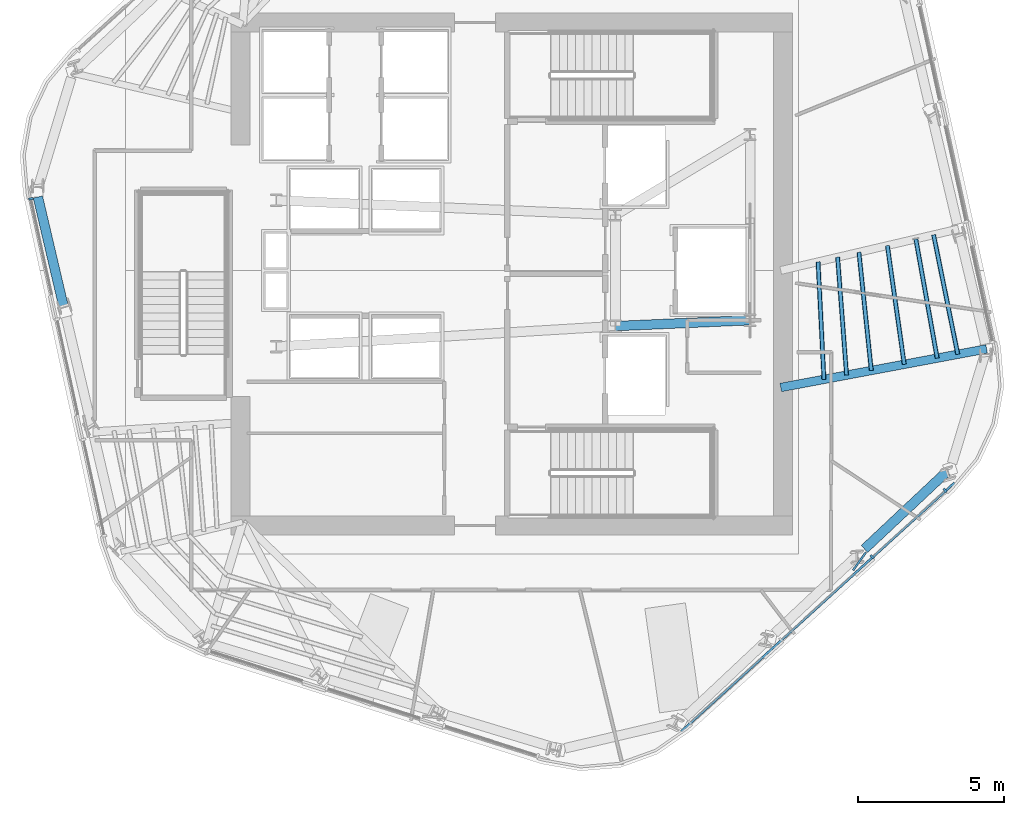
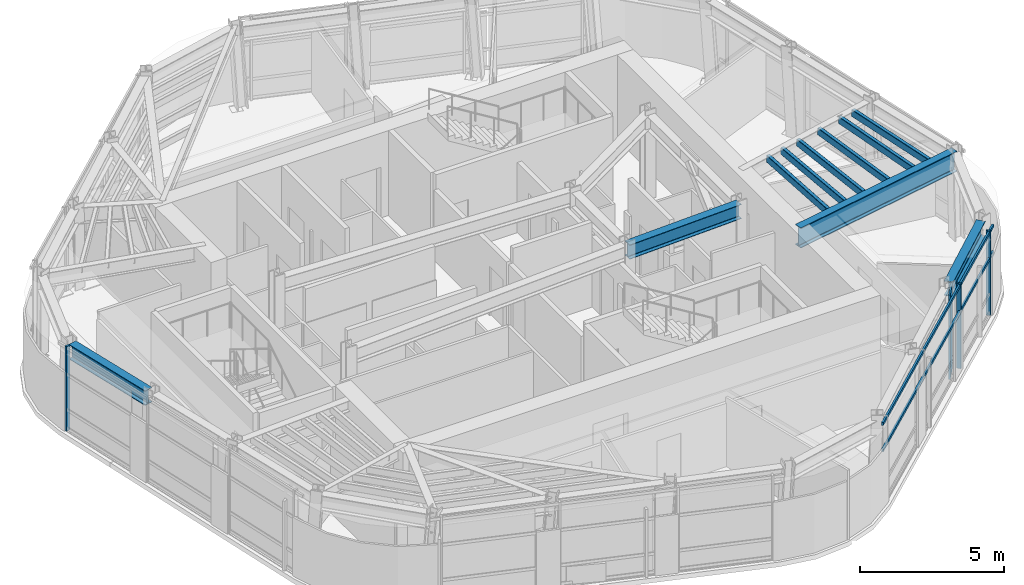
# One storey, part 3 of 15: 12 members, 4 beams, 2 elements without a shape of their own.
"""IFC4 building model written with IfcOpenShell, lengths in metres."""

from ifc_helpers import new_model, si_unit, direction, frame, origin, origin_2d, place, context, subcontext, project, spatial, rectangle, hollow_rectangle, i_section, extrude, material, layer, layer_set, material_profile, profile_set, type_object, element, aggregate, save


model = new_model("IFC4")

# Units and contexts
model_context = context("Model", 3, precision=1e-05, world=origin(), true_north=direction((0.0, 1.0)))
body_context = subcontext(model_context, "Body", "Model", "MODEL_VIEW")
ifc_project = project(units=[si_unit("LENGTHUNIT", "METRE"), si_unit("AREAUNIT", "SQUARE_METRE"), si_unit("VOLUMEUNIT", "CUBIC_METRE"), si_unit("PLANEANGLEUNIT", "RADIAN"), si_unit("MASSUNIT", "GRAM", prefix="KILO")], contexts=[model_context])

# Site, building, storey
site_placement = place(None, origin())
site = spatial("IfcSite", under=ifc_project, at=site_placement, CompositionType="ELEMENT")
building_placement = place(site_placement, origin())
building = spatial("IfcBuilding", under=site, at=building_placement, Name="Valkerne Bourse Tower", CompositionType="ELEMENT")
storey_placement = place(building_placement, frame((0.0, 0.0, 205.60009765625)))
storey = spatial("IfcBuildingStorey", under=building, at=storey_placement, Name="L52", CompositionType="ELEMENT", Elevation=205.60009765625)

# Beams
ifc_material_1 = material(Name="Steel ASTM A992", Category="steel")
ifc_material_profile_1 = material_profile(ifc_material_1, i_section(OverallWidth=0.3251953125, OverallDepth=0.612060546875, WebThickness=0.0126953125, FlangeThickness=0.01904296875, FilletRadius=0.020263671875, at=origin_2d()), Name="W24X104")
ifc_profile_set_1 = profile_set([ifc_material_profile_1], Name="Steel ASTM A992")
beam_type_1 = type_object("IfcBeamType", Name="BM-W24X104", PredefinedType="BEAM", material=ifc_profile_set_1)
beam_1_placement = place(storey_placement, frame((50.35009765625, 25.10009765625, 3.293701171875), z_axis=(0.999056558506, 0.043428019819, 0.0), x_axis=(-0.043428019819, 0.999056558506, 0.0)))
element("IfcBeam", 1, at=beam_1_placement, inside=storey, type_object=beam_type_1, Name="L52 Core Frame Girder CG-SE", PredefinedType="BEAM", context=body_context, shape_type="SweptSolid", body=[
    extrude(i_section(OverallWidth=0.3251953125, OverallDepth=0.612060546875, WebThickness=0.0126953125, FlangeThickness=0.01904296875, FilletRadius=0.020263671875, at=origin_2d()), origin(), (0.0, 0.0, 1.0), 4.604248046875),
])
ifc_material_profile_2 = material_profile(ifc_material_1, i_section(OverallWidth=0.32763671875, OverallDepth=0.62744140625, WebThickness=0.0166015625, FlangeThickness=0.027587890625, FilletRadius=0.020263671875, at=origin_2d()), Name="W24X146")
ifc_profile_set_2 = profile_set([ifc_material_profile_2], Name="Steel ASTM A992")
beam_type_2 = type_object("IfcBeamType", Name="BM-W24X146", PredefinedType="SPANDREL", material=ifc_profile_set_2)
for number, where, z_axis, x_axis, name in (
    (2, (30.598876953125, 29.514892578125, 3.2861328125), (0.228371556972, -0.973574050582, 0.0), (0.973574050582, 0.228371556972, 0.0), "L52 Hexagonal Spandrel Ring Beam 08"),
    (3, (58.86328125, 17.478515625, 3.2861328125), (0.728982492651, 0.68453234066, 0.0), (-0.68453234066, 0.728982492651, 0.0), "L52 Hexagonal Spandrel Ring Beam 18"),
):
    element("IfcBeam", number, at=place(storey_placement, frame(where, z_axis=z_axis, x_axis=x_axis)), inside=storey, type_object=beam_type_2, Name=name, PredefinedType="SPANDREL", context=body_context, shape_type="SweptSolid", body=[
        extrude(i_section(OverallWidth=0.32763671875, OverallDepth=0.62744140625, WebThickness=0.0166015625, FlangeThickness=0.027587890625, FilletRadius=0.020263671875, at=origin_2d()), origin(), (0.0, 0.0, 1.0), 3.8720703125),
    ])
ifc_material_profile_3 = material_profile(ifc_material_1, i_section(OverallWidth=0.2919921875, OverallDepth=0.8583984375, WebThickness=0.01708984375, FlangeThickness=0.031005859375, FilletRadius=0.025390625, at=origin_2d()), Name="W33X169")
ifc_profile_set_3 = profile_set([ifc_material_profile_3], Name="Steel ASTM A992")
beam_type_3 = type_object("IfcBeamType", Name="BM-W33X169", PredefinedType="BEAM", material=ifc_profile_set_3)
beam_2_placement = place(storey_placement, frame((63.039794921875, 24.319580078125, 3.170654296875), z_axis=(-0.982881832687, -0.184237083602, 0.0), x_axis=(0.184237083602, -0.982881832687, 0.0)))
element("IfcBeam", 4, at=beam_2_placement, inside=storey, type_object=beam_type_3, Name="L52 Radial Composite Floor Beam 20", PredefinedType="BEAM", context=body_context, shape_type="SweptSolid", body=[
    extrude(i_section(OverallWidth=0.2919921875, OverallDepth=0.8583984375, WebThickness=0.01708984375, FlangeThickness=0.031005859375, FilletRadius=0.025390625, at=origin_2d()), origin(), (0.0, 0.0, 1.0), 7.162353515625),
])

# Curtain wall, member
ifc_material_2 = material(Name="Aluminium AA 6063-T6", Category="aluminium")
ifc_layer = layer(ifc_material_2, 0.239990234375)
ifc_layer_set = layer_set([ifc_layer], Name="Aluminium AA 6063-T6")
curtain_wall_type = type_object("IfcCurtainWallType", Name="CW-04", PredefinedType="NOTDEFINED", material=ifc_layer_set)
curtain_wall_1_placement = place(storey_placement, origin())
curtain_wall_1 = element("IfcCurtainWall", 5, at=curtain_wall_1_placement, inside=storey, type_object=curtain_wall_type, Name="L52 Hexagonal Stick Curtain Wall Face 3", PredefinedType="NOTDEFINED")
ifc_material_profile_4 = material_profile(ifc_material_2, rectangle(XDim=0.074951171875, YDim=0.159912109375, at=origin_2d()), Name="CWM-75X160")
ifc_profile_set_4 = profile_set([ifc_material_profile_4], Name="Aluminium AA 6063-T6")
member_type_1 = type_object("IfcMemberType", Name="CW-MUL-160X75", PredefinedType="MULLION", material=ifc_profile_set_4)
member_1_placement = place(storey_placement, frame((30.361572265625, 29.452392578125, 0.0), z_axis=(0.0, 0.0, 1.0), x_axis=(0.213034804174, -0.977044611167, 0.0)))
member_1 = element("IfcMember", 6, at=member_1_placement, type_object=member_type_1, Name="CW-L52-F3 Jamb Mullion 00A", PredefinedType="MULLION", context=body_context, shape_type="SweptSolid", body=[
    extrude(rectangle(XDim=0.074951171875, YDim=0.159912109375, at=origin_2d()), origin(), (0.0, 0.0, 1.0), 3.599853515625),
])
aggregate(curtain_wall_1, [member_1])

# Curtain wall, members
curtain_wall_2_placement = place(storey_placement, origin())
curtain_wall_2 = element("IfcCurtainWall", 7, at=curtain_wall_2_placement, inside=storey, type_object=curtain_wall_type, Name="L52 Hexagonal Stick Curtain Wall Face 5", PredefinedType="NOTDEFINED")
member_2_placement = place(storey_placement, frame((59.126220703125, 17.20703125, 0.0), z_axis=(0.0, 0.0, 1.0), x_axis=(0.739631673154, 0.673011878103, 0.0)))
member_2 = element("IfcMember", 8, at=member_2_placement, type_object=member_type_1, Name="CW-L52-F5 Jamb Mullion 02A", PredefinedType="MULLION", context=body_context, shape_type="SweptSolid", body=[
    extrude(rectangle(XDim=0.074951171875, YDim=0.159912109375, at=origin_2d()), origin(), (0.0, 0.0, 1.0), 3.599853515625),
])
member_3_placement = place(storey_placement, frame((61.6201171875, 19.4765625, 0.0), z_axis=(0.0, 0.0, 1.0), x_axis=(0.739631673154, 0.673011878103, 0.0)))
member_3 = element("IfcMember", 9, at=member_3_placement, type_object=member_type_1, Name="CW-L52-F5 Jamb Mullion 02B", PredefinedType="MULLION", context=body_context, shape_type="SweptSolid", body=[
    extrude(rectangle(XDim=0.074951171875, YDim=0.159912109375, at=origin_2d()), origin(), (0.0, 0.0, 1.0), 3.599853515625),
])
ifc_material_profile_5 = material_profile(ifc_material_2, rectangle(XDim=0.074951171875, YDim=0.1201171875, at=origin_2d()), Name="CWT-75X120")
ifc_profile_set_5 = profile_set([ifc_material_profile_5], Name="Aluminium AA 6063-T6")
member_type_2 = type_object("IfcMemberType", Name="CW-TRN-120X75", PredefinedType="USERDEFINED", material=ifc_profile_set_5)
member_4_placement = place(storey_placement, frame((52.598388671875, 11.239990234375, 2.39990234375), z_axis=(0.739613012943, 0.673032384871, 0.0), x_axis=(-0.673032384871, 0.739613012943, 0.0)))
member_4 = element("IfcMember", 10, at=member_4_placement, type_object=member_type_2, Name="CW-L52-F5 Continuous Face Transom 3", ObjectType="TRANSOM", PredefinedType="USERDEFINED", context=body_context, shape_type="SweptSolid", body=[
    extrude(rectangle(XDim=0.074951171875, YDim=0.1201171875, at=origin_2d()), origin(), (0.0, 0.0, 1.0), 12.635986328125),
])
member_5_placement = place(storey_placement, frame((52.598388671875, 11.239990234375, 3.52001953125), z_axis=(0.739613012943, 0.673032384871, 0.0), x_axis=(-0.673032384871, 0.739613012943, 0.0)))
member_5 = element("IfcMember", 11, at=member_5_placement, type_object=member_type_2, Name="CW-L52-F5 Continuous Face Transom 4", ObjectType="TRANSOM", PredefinedType="USERDEFINED", context=body_context, shape_type="SweptSolid", body=[
    extrude(rectangle(XDim=0.074951171875, YDim=0.1201171875, at=origin_2d()), origin(), (0.0, 0.0, 1.0), 12.635986328125),
])
aggregate(curtain_wall_2, [member_4, member_5, member_2, member_3])

# Members
ifc_material_3 = material(Name="Bronze Anodised Aluminium AA 6063-T6", Category="aluminium")
ifc_material_profile_6 = material_profile(ifc_material_3, rectangle(XDim=0.06494140625, YDim=0.75, at=origin_2d()), Name="FIN-65X750")
ifc_profile_set_6 = profile_set([ifc_material_profile_6], Name="Bronze Anodised Aluminium AA 6063-T6")
member_type_3 = type_object("IfcMemberType", Name="FIN-SOLAR-650", PredefinedType="USERDEFINED", material=ifc_profile_set_6)
member_6_placement = place(storey_placement, frame((58.6943359375, 17.0576171875, 0.00390625), z_axis=(0.0, 0.0, 1.0), x_axis=(0.812973686829, -0.58230042463, 0.0)))
element("IfcMember", 12, at=member_6_placement, inside=storey, type_object=member_type_3, Name="L52 Bronze Anodised Solar Fin F5-02", ObjectType="SOLAR_FIN", PredefinedType="USERDEFINED", context=body_context, shape_type="SweptSolid", body=[
    extrude(rectangle(XDim=0.06494140625, YDim=0.75, at=origin_2d()), origin(), (0.0, 0.0, 1.0), 3.592041015625),
])
ifc_material_4 = material(Name="Steel ASTM A500 Grade C", Category="steel")
ifc_material_profile_7 = material_profile(ifc_material_4, hollow_rectangle(XDim=0.14990234375, YDim=0.300048828125, WallThickness=0.012451171875, OuterFilletRadius=0.02490234375, at=origin_2d()), Name="HSS300X150X12.5")
ifc_profile_set_7 = profile_set([ifc_material_profile_7], Name="Steel ASTM A500 Grade C")
member_type_4 = type_object("IfcMemberType", Name="MBR-HSS300X150X12.5", PredefinedType="PURLIN", material=ifc_profile_set_7)
member_7_placement = place(storey_placement, frame((58.252685546875, 23.42236328125, 3.43994140625), z_axis=(-0.076068615738, 0.997102585344, 0.0), x_axis=(-0.997102585344, -0.076068615738, 0.0)))
element("IfcMember", 13, at=member_7_placement, inside=storey, type_object=member_type_4, Name="L52 Secondary Composite Floor Purlin I-20", PredefinedType="PURLIN", context=body_context, shape_type="SweptSolid", body=[
    extrude(hollow_rectangle(XDim=0.14990234375, YDim=0.300048828125, WallThickness=0.012451171875, OuterFilletRadius=0.02490234375, at=origin_2d()), origin(), (0.0, 0.0, 1.0), 4.0439453125),
])
member_8_placement = place(storey_placement, frame((59.09765625, 23.58056640625, 3.43994140625), z_axis=(-0.10410348067, 0.994566471038, 0.0), x_axis=(-0.994566471038, -0.10410348067, 0.0)))
element("IfcMember", 14, at=member_8_placement, inside=storey, type_object=member_type_4, Name="L52 Secondary Composite Floor Purlin K-20", PredefinedType="PURLIN", context=body_context, shape_type="SweptSolid", body=[
    extrude(hollow_rectangle(XDim=0.14990234375, YDim=0.300048828125, WallThickness=0.012451171875, OuterFilletRadius=0.02490234375, at=origin_2d()), origin(), (0.0, 0.0, 1.0), 4.066650390625),
])
member_9_placement = place(storey_placement, frame((61.350341796875, 24.0029296875, 3.43994140625), z_axis=(-0.176498585129, 0.984300893755, 0.0), x_axis=(-0.984300893755, -0.176498585129, 0.0)))
element("IfcMember", 15, at=member_9_placement, inside=storey, type_object=member_type_4, Name="L52 Secondary Composite Floor Purlin O-20", PredefinedType="PURLIN", context=body_context, shape_type="SweptSolid", body=[
    extrude(hollow_rectangle(XDim=0.14990234375, YDim=0.300048828125, WallThickness=0.012451171875, OuterFilletRadius=0.02490234375, at=origin_2d()), origin(), (0.0, 0.0, 1.0), 4.141357421875),
])
member_10_placement = place(storey_placement, frame((60.223876953125, 23.791748046875, 3.43994140625), z_axis=(-0.140662937328, 0.990057542804, 0.0), x_axis=(-0.990057542804, -0.140662937328, 0.0)))
element("IfcMember", 16, at=member_10_placement, inside=storey, type_object=member_type_4, Name="L52 Secondary Composite Floor Purlin Z-20", PredefinedType="PURLIN", context=body_context, shape_type="SweptSolid", body=[
    extrude(hollow_rectangle(XDim=0.14990234375, YDim=0.300048828125, WallThickness=0.012451171875, OuterFilletRadius=0.02490234375, at=origin_2d()), origin(), (0.0, 0.0, 1.0), 4.101318359375),
])
member_11_placement = place(storey_placement, frame((57.478515625, 23.277099609375, 3.43994140625), z_axis=(-0.050206773324, 0.9987388447, 0.0), x_axis=(-0.9987388447, -0.050206773324, 0.0)))
element("IfcMember", 17, at=member_11_placement, inside=storey, type_object=member_type_4, Name="L52 Secondary Composite Floor Purlin S-20", PredefinedType="PURLIN", context=body_context, shape_type="SweptSolid", body=[
    extrude(hollow_rectangle(XDim=0.14990234375, YDim=0.300048828125, WallThickness=0.012451171875, OuterFilletRadius=0.02490234375, at=origin_2d()), origin(), (0.0, 0.0, 1.0), 4.0263671875),
])
member_12_placement = place(storey_placement, frame((62.05419921875, 24.135009765625, 3.43994140625), z_axis=(-0.198334059456, 0.980134481007, 0.0), x_axis=(-0.980134481007, -0.198334059456, 0.0)))
element("IfcMember", 18, at=member_12_placement, inside=storey, type_object=member_type_4, Name="L52 Secondary Composite Floor Purlin T-20", PredefinedType="PURLIN", context=body_context, shape_type="SweptSolid", body=[
    extrude(hollow_rectangle(XDim=0.14990234375, YDim=0.300048828125, WallThickness=0.012451171875, OuterFilletRadius=0.02490234375, at=origin_2d()), origin(), (0.0, 0.0, 1.0), 4.169189453125),
])

save(model, "model.ifc")
